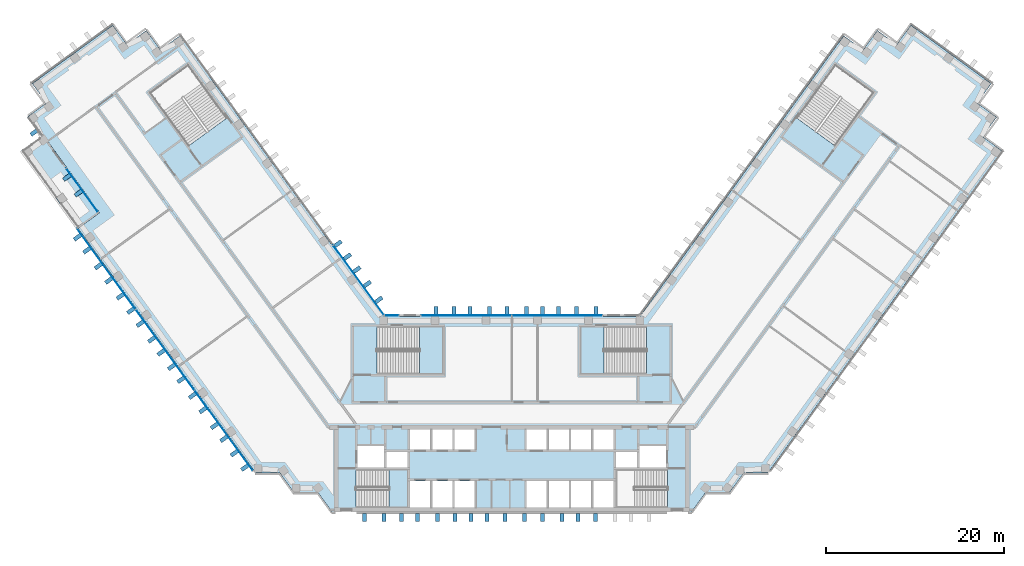
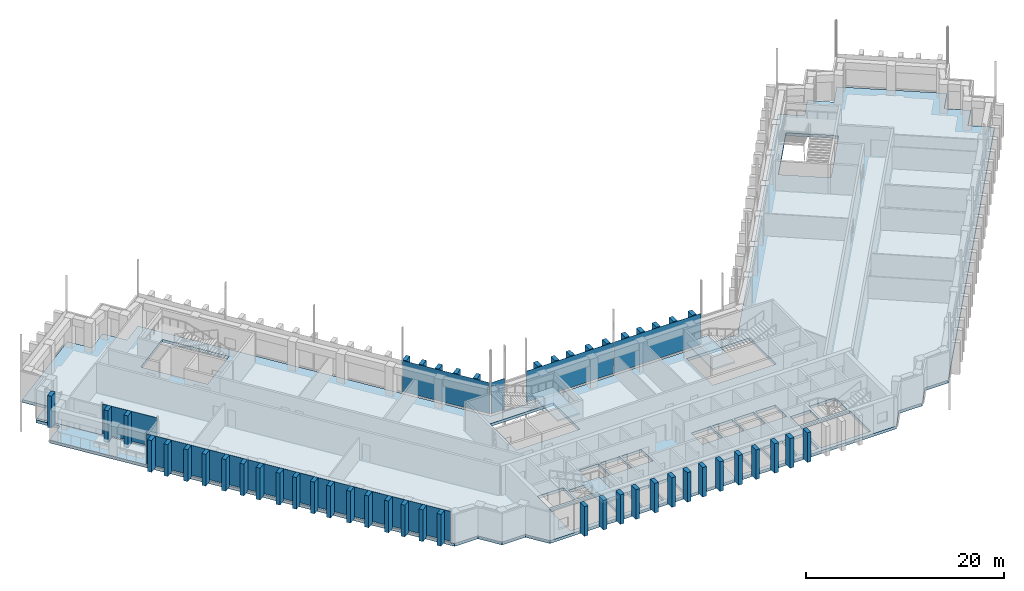
# One storey, part 8 of 19: 57 plates, 5 slabs, 8 elements without a shape of their own.
"""IFC4 building model written with IfcOpenShell, lengths in metres."""

import ifcopenshell
import ifcopenshell.guid

model = None  # the IFC model being written
_history = None  # IfcOwnerHistory: only IFC2X3 demands one
_inside = {}  # id of a spatial element -> (the spatial element, [elements in it])
_under = {}  # id of a project, library or spatial element -> (it, [spatial elements below it])
_declared = {}  # id of a project -> (the project, [libraries it declares])
_typed = {}  # id of a type object -> (the type object, [elements of that type])
_made_of = {}  # id of a material, layer set ... -> (it, [elements and type objects made of it])


def new_model(schema):
    """Start an empty IFC model of exactly this schema.

    Asked for "IFC4X3", IfcOpenShell would pick the latest addendum, in which some entities
    have other attributes; the version numbers below select the first issue.
    IFC2X3 requires an IfcOwnerHistory on every rooted entity: one is made here for all.
    """
    global model, _history
    if schema == "IFC4X3":
        model = ifcopenshell.file(schema_version=(4, 3, 0, 0))
    else:
        model = ifcopenshell.file(schema=schema)
    _inside.clear()
    _under.clear()
    _declared.clear()
    _typed.clear()
    _made_of.clear()
    _history = None
    if model.schema == "IFC2X3":
        org = make("IfcOrganization", Name="unknown")
        user = make(
            "IfcPersonAndOrganization",
            ThePerson=make("IfcPerson", FamilyName="unknown"),
            TheOrganization=org,
        )
        app = make(
            "IfcApplication",
            ApplicationDeveloper=org,
            Version="unknown",
            ApplicationFullName="unknown",
            ApplicationIdentifier="unknown",
        )
        _history = make(
            "IfcOwnerHistory",
            OwningUser=user,
            OwningApplication=app,
            ChangeAction="ADDED",
            CreationDate=0,
        )
    return model


def make(cls, **values):
    """One entity of the class cls with the attributes given. An attribute that is None is left unset."""
    return model.create_entity(
        cls, **{name: value for name, value in values.items() if value is not None}
    )


def rooted(cls, **values):
    """An entity with a GlobalId (a new one), such as an element, a storey or a relation."""
    return make(cls, GlobalId=ifcopenshell.guid.new(), OwnerHistory=_history, **values)


def si_unit(unit_type, name, prefix=None):
    """IfcSIUnit, for example si_unit("LENGTHUNIT", "METRE", prefix="MILLI")."""
    return make("IfcSIUnit", UnitType=unit_type, Prefix=prefix, Name=name)


def assignment(units):
    """IfcUnitAssignment: the units of a project."""
    return None if units is None else make("IfcUnitAssignment", Units=units)


def point(xyz):
    """IfcCartesianPoint."""
    return None if xyz is None else make("IfcCartesianPoint", Coordinates=xyz)


def direction(xyz):
    """IfcDirection."""
    return None if xyz is None else make("IfcDirection", DirectionRatios=xyz)


def frame(location, z_axis=None, x_axis=None):
    """IfcAxis2Placement3D, a coordinate frame: its origin and axes. An axis left out is left unset."""
    return make(
        "IfcAxis2Placement3D",
        Location=point(location),
        Axis=direction(z_axis),
        RefDirection=direction(x_axis),
    )


def frame_2d(location, x_axis=None):
    """IfcAxis2Placement2D, a coordinate frame in the plane: its origin and x axis."""
    return make(
        "IfcAxis2Placement2D", Location=point(location), RefDirection=direction(x_axis)
    )


def origin():
    """The frame at (0, 0, 0) with its axes left unset."""
    return frame((0.0, 0.0, 0.0))


def origin_2d():
    """The frame at (0, 0) in the plane with its x axis left unset."""
    return frame_2d((0.0, 0.0))


def place(relative_to, where):
    """IfcLocalPlacement: puts the frame where relative to a parent placement (None: the world)."""
    return make(
        "IfcLocalPlacement", PlacementRelTo=relative_to, RelativePlacement=where
    )


def context(
    kind, dimensions, precision=None, world=None, true_north=None, identifier=None
):
    """IfcGeometricRepresentationContext, for example the 3D "Model" context."""
    return make(
        "IfcGeometricRepresentationContext",
        ContextIdentifier=identifier,
        ContextType=kind,
        CoordinateSpaceDimension=dimensions,
        Precision=precision,
        WorldCoordinateSystem=world,
        TrueNorth=true_north,
    )


def subcontext(parent, identifier, kind, view, scale=None):
    """IfcGeometricRepresentationSubContext, for example "Body" below "Model"."""
    return make(
        "IfcGeometricRepresentationSubContext",
        ContextIdentifier=identifier,
        ContextType=kind,
        ParentContext=parent,
        TargetScale=scale,
        TargetView=view,
    )


def project(units=None, contexts=None):
    """IfcProject with its units and contexts."""
    return rooted(
        "IfcProject",
        Name="project",
        RepresentationContexts=contexts,
        UnitsInContext=assignment(units),
    )


def spatial(cls, under=None, at=None, **own):
    """A site, building, storey or space (cls), placed at a placement, below another one or the project."""
    s = rooted(cls, ObjectPlacement=at, **own)
    if under is not None:
        _under.setdefault(under.id(), (under, []))[1].append(s)
    return s


def polyline(points):
    """IfcPolyline through the points."""
    return make("IfcPolyline", Points=[point(p) for p in points])


def profile(cls, at=None, kind="AREA", **sizes):
    """A parametric profile (cls). Its sizes go by their IFC names, for example OverallWidth=200.0."""
    return make(cls, ProfileType=kind, Position=at, **sizes)


def rectangle(**sizes):
    """IfcRectangleProfileDef."""
    return profile("IfcRectangleProfileDef", **sizes)


def outline(outer, holes=None, kind="AREA"):
    """IfcArbitraryClosedProfileDef: a profile drawn as a closed curve; with holes, ...WithVoids."""
    if holes is None:
        return make("IfcArbitraryClosedProfileDef", ProfileType=kind, OuterCurve=outer)
    return make(
        "IfcArbitraryProfileDefWithVoids",
        ProfileType=kind,
        OuterCurve=outer,
        InnerCurves=holes,
    )


def extrude(swept, where, along, depth):
    """IfcExtrudedAreaSolid: the profile swept, set in the frame where, extruded along a direction by depth."""
    return make(
        "IfcExtrudedAreaSolid",
        SweptArea=swept,
        Position=where,
        ExtrudedDirection=direction(along),
        Depth=depth,
    )


def shape(context_of_items, identifier, shape_type, items):
    """IfcShapeRepresentation: the items that make up one representation, for example the "Body"."""
    return make(
        "IfcShapeRepresentation",
        ContextOfItems=context_of_items,
        RepresentationIdentifier=identifier,
        RepresentationType=shape_type,
        Items=items,
    )


def material(Name=None, Category=None):
    """IfcMaterial."""
    return make("IfcMaterial", Name=Name, Category=Category)


def layer(
    of_material, thickness, ventilated=None, Name=None, Category=None, Priority=None
):
    """IfcMaterialLayer: one layer of a wall or slab, of a material (None: an air gap)."""
    return make(
        "IfcMaterialLayer",
        Material=of_material,
        LayerThickness=thickness,
        IsVentilated=ventilated,
        Name=Name,
        Category=Category,
        Priority=Priority,
    )


def layer_set(layers, Name=None):
    """IfcMaterialLayerSet."""
    return make("IfcMaterialLayerSet", MaterialLayers=layers, LayerSetName=Name)


def made_of(thing, what):
    """Note that an element or type object is made of a material, layer set ...; save() writes the relation."""
    if what is not None:
        _made_of.setdefault(what.id(), (what, []))[1].append(thing)
    return thing


def type_object(cls, material=None, **own):
    """A type object (cls), such as IfcWallType, which elements share."""
    return made_of(rooted(cls, **own), material)


def element(
    cls,
    number,
    at=None,
    inside=None,
    cuts=None,
    type_object=None,
    material=None,
    context=None,
    identifier="Body",
    shape_type=None,
    held_by="IfcProductDefinitionShape",
    body=None,
    shapes=None,
    **own,
):
    """One element of the class cls, such as IfcWall. Its Tag is "e" and its number.

    at: its placement. inside: the storey or other place that contains it. cuts: it is an
    opening in that element (IfcRelVoidsElement). A single representation is given by context,
    identifier, shape_type and body (its items); several are given by shapes. held_by: the class
    of the entity that holds the representations. save() writes the other relations.
    """
    e = rooted(cls, Tag="e%d" % number, ObjectPlacement=at, **own)
    if body is not None:
        shapes = [shape(context, identifier, shape_type, body)]
    if shapes is not None:
        e.Representation = make(held_by, Representations=shapes)
    if inside is not None:
        _inside.setdefault(inside.id(), (inside, []))[1].append(e)
    if cuts is not None:
        rooted(
            "IfcRelVoidsElement", RelatingBuildingElement=cuts, RelatedOpeningElement=e
        )
    if type_object is not None:
        _typed.setdefault(type_object.id(), (type_object, []))[1].append(e)
    return made_of(e, material)


def aggregate(whole, parts):
    """IfcRelAggregates: a whole, such as a stair, and the parts it consists of."""
    return rooted("IfcRelAggregates", RelatingObject=whole, RelatedObjects=parts)


def save(model, path):
    """Write the relations noted so far, then the file.

    IfcRelAggregates (storeys below a building ...), IfcRelContainedInSpatialStructure (elements
    in a storey), IfcRelDefinesByType, IfcRelAssociatesMaterial and IfcRelDeclares: one each for
    every whole, place, type object, material and project.
    """
    for whole, parts in _under.values():
        aggregate(whole, parts)
    for where, things in _inside.values():
        rooted(
            "IfcRelContainedInSpatialStructure",
            RelatedElements=things,
            RelatingStructure=where,
        )
    for kind, things in _typed.values():
        rooted("IfcRelDefinesByType", RelatedObjects=things, RelatingType=kind)
    for what, things in _made_of.values():
        rooted("IfcRelAssociatesMaterial", RelatedObjects=things, RelatingMaterial=what)
    for by, libraries in _declared.values():
        rooted("IfcRelDeclares", RelatingContext=by, RelatedDefinitions=libraries)
    model.write(path)


model = new_model("IFC4")

# Units and contexts
model_context = context("Model", 3, precision=1e-05, world=origin(), true_north=direction((0.0, 1.0)))
body_context = subcontext(model_context, "Body", "Model", "MODEL_VIEW")
ifc_project = project(units=[si_unit("LENGTHUNIT", "METRE"), si_unit("AREAUNIT", "SQUARE_METRE"), si_unit("VOLUMEUNIT", "CUBIC_METRE"), si_unit("PLANEANGLEUNIT", "RADIAN"), si_unit("MASSUNIT", "GRAM", prefix="KILO")], contexts=[model_context])

# Site, building, storey
site_placement = place(None, origin())
site = spatial("IfcSite", under=ifc_project, at=site_placement, CompositionType="ELEMENT")
building_placement = place(site_placement, origin())
building = spatial("IfcBuilding", under=site, at=building_placement, Name="Quipu Civic Tower", CompositionType="ELEMENT")
storey_placement = place(building_placement, frame((0.0, 0.0, 35.0)))
storey = spatial("IfcBuildingStorey", under=building, at=storey_placement, Name="L07", CompositionType="ELEMENT", Elevation=35.0)

# Slab
ifc_material_1 = material(Name="Concrete C40/50", Category="concrete")
ifc_layer_1 = layer(ifc_material_1, 0.35009765625)
ifc_layer_set_1 = layer_set([ifc_layer_1], Name="Concrete C40/50")
slab_type_1 = type_object("IfcSlabType", Name="Floor slab 350 C40/50", PredefinedType="FLOOR", material=ifc_layer_set_1)
slab_1_placement = place(storey_placement, frame((0.0, 0.0, -0.35009765625)))
element("IfcSlab", 1, at=slab_1_placement, inside=storey, type_object=slab_type_1, Name="Floor slab L07", PredefinedType="FLOOR", context=body_context, shape_type="SweptSolid", body=[
    extrude(outline(polyline([(-44.860107421875, 43.739990234375), (-43.27001953125, 41.56005859375), (-41.0849609375, 43.14501953125), (-39.5, 40.9599609375), (-37.31494140625, 42.550048828125), (-14.39501953125, 11.0), (14.39501953125, 11.0), (37.31494140625, 42.550048828125), (39.5, 40.9599609375), (41.0849609375, 43.14501953125), (43.27001953125, 41.56005859375), (44.860107421875, 43.739990234375), (53.919921875, 37.159912109375), (52.3349609375, 34.97509765625), (54.514892578125, 33.389892578125), (52.929931640625, 31.205078125), (55.114990234375, 29.614990234375), (28.780029296875, -6.6298828125), (26.080078125, -6.6298828125), (24.489990234375, -8.81494140625), (21.7900390625, -8.81494140625), (20.205078125, -11.0), (-20.205078125, -11.0), (-21.7900390625, -8.81494140625), (-24.489990234375, -8.81494140625), (-26.080078125, -6.6298828125), (-28.780029296875, -6.6298828125), (-48.764892578125, 20.8798828125), (-46.340087890625, 22.639892578125), (-54.27490234375, 33.56494140625), (-52.3349609375, 34.97509765625), (-53.919921875, 37.159912109375), (-44.860107421875, 43.739990234375)]), holes=[polyline([(-11.449951171875, -7.5), (-11.449951171875, -10.5), (-9.14990234375, -10.5), (-9.14990234375, -7.5), (-11.449951171875, -7.5)]), polyline([(-6.64990234375, -7.5), (-8.949951171875, -7.5), (-8.949951171875, -10.5), (-6.64990234375, -10.5), (-6.64990234375, -7.5)]), polyline([(-4.14990234375, -7.5), (-6.449951171875, -7.5), (-6.449951171875, -10.5), (-4.14990234375, -10.5), (-4.14990234375, -7.5)]), polyline([(1.64990234375, -7.5), (1.64990234375, -10.5), (3.949951171875, -10.5), (3.949951171875, -7.5), (1.64990234375, -7.5)]), polyline([(-11.705078125, -10.4951171875), (-11.705078125, -6.2548828125), (-17.4951171875, -6.2548828125), (-17.4951171875, -10.4951171875), (-11.705078125, -10.4951171875)]), polyline([(-11.699951171875, -4.25), (-14.10009765625, -4.25), (-14.10009765625, -6.0), (-11.699951171875, -6.0), (-11.699951171875, -4.25)]), polyline([(-17.35009765625, -3.60009765625), (-17.35009765625, -6.0), (-14.35009765625, -6.0), (-14.35009765625, -3.60009765625), (-17.35009765625, -3.60009765625)]), polyline([(-9.14990234375, -1.699951171875), (-11.449951171875, -1.699951171875), (-11.449951171875, -4.0), (-9.14990234375, -4.0), (-9.14990234375, -1.699951171875)]), polyline([(-6.64990234375, -1.699951171875), (-8.949951171875, -1.699951171875), (-8.949951171875, -4.0), (-6.64990234375, -4.0), (-6.64990234375, -1.699951171875)]), polyline([(-6.449951171875, -1.699951171875), (-6.449951171875, -4.0), (-4.14990234375, -4.0), (-4.14990234375, -1.699951171875), (-6.449951171875, -1.699951171875)]), polyline([(-7.7548828125, 4.5048828125), (-7.7548828125, 9.844970703125), (-15.14501953125, 9.844970703125), (-15.14501953125, 4.5048828125), (-7.7548828125, 4.5048828125)]), polyline([(-36.364990234375, 39.27490234375), (-40.68505859375, 36.135009765625), (-36.344970703125, 30.159912109375), (-32.02490234375, 33.300048828125), (-36.364990234375, 39.27490234375)]), polyline([(4.14990234375, -7.5), (4.14990234375, -10.5), (6.449951171875, -10.5), (6.449951171875, -7.5), (4.14990234375, -7.5)]), polyline([(8.949951171875, -7.5), (6.64990234375, -7.5), (6.64990234375, -10.5), (8.949951171875, -10.5), (8.949951171875, -7.5)]), polyline([(11.449951171875, -7.5), (9.14990234375, -7.5), (9.14990234375, -10.5), (11.449951171875, -10.5), (11.449951171875, -7.5)]), polyline([(11.705078125, -10.4951171875), (17.4951171875, -10.4951171875), (17.4951171875, -6.2548828125), (11.705078125, -6.2548828125), (11.705078125, -10.4951171875)]), polyline([(14.10009765625, -4.25), (11.699951171875, -4.25), (11.699951171875, -6.0), (14.10009765625, -6.0), (14.10009765625, -4.25)]), polyline([(17.35009765625, -3.60009765625), (14.35009765625, -3.60009765625), (14.35009765625, -6.0), (17.35009765625, -6.0), (17.35009765625, -3.60009765625)]), polyline([(1.64990234375, -1.699951171875), (1.64990234375, -4.0), (3.949951171875, -4.0), (3.949951171875, -1.699951171875), (1.64990234375, -1.699951171875)]), polyline([(6.449951171875, -1.699951171875), (4.14990234375, -1.699951171875), (4.14990234375, -4.0), (6.449951171875, -4.0), (6.449951171875, -1.699951171875)]), polyline([(8.949951171875, -1.699951171875), (6.64990234375, -1.699951171875), (6.64990234375, -4.0), (8.949951171875, -4.0), (8.949951171875, -1.699951171875)]), polyline([(9.14990234375, -1.699951171875), (9.14990234375, -4.0), (11.449951171875, -4.0), (11.449951171875, -1.699951171875), (9.14990234375, -1.699951171875)]), polyline([(7.7548828125, 9.844970703125), (7.7548828125, 4.5048828125), (15.14501953125, 4.5048828125), (15.14501953125, 9.844970703125), (7.7548828125, 9.844970703125)]), polyline([(40.68505859375, 36.135009765625), (36.364990234375, 39.27490234375), (32.02490234375, 33.300048828125), (36.344970703125, 30.159912109375), (40.68505859375, 36.135009765625)])]), origin(), (0.0, 0.0, 1.0), 0.35009765625),
])

# Curtain wall, plate
ifc_material_2 = material(Name="Insulated glass unit", Category="glass")
curtain_wall_type = type_object("IfcCurtainWallType", Name="Office curtain wall CW1", PredefinedType="NOTDEFINED", material=ifc_material_2)
curtain_wall_1_placement = place(storey_placement, origin())
curtain_wall_1 = element("IfcCurtainWall", 2, at=curtain_wall_1_placement, inside=storey, type_object=curtain_wall_type, Name="Office curtain wall CW1 L07 run 5", PredefinedType="NOTDEFINED")
ifc_material_3 = material(Name="Insulated glass unit", Category="glass")
ifc_layer_2 = layer(ifc_material_3, 0.028076171875)
ifc_layer_set_2 = layer_set([ifc_layer_2], Name="Insulated glass unit")
plate_type_1 = type_object("IfcPlateType", Name="Glass panel CW1", PredefinedType="CURTAIN_PANEL", material=ifc_layer_set_2)
plate_1_placement = place(storey_placement, frame((-48.301025390625, 25.172607421875, 0.240234375), z_axis=(0.0, 0.0, 1.0), x_axis=(0.587786095567, -0.809016381699, 0.0)))
plate_1 = element("IfcPlate", 3, at=plate_1_placement, type_object=plate_type_1, Name="CW1 panel 1.1", PredefinedType="CURTAIN_PANEL", context=body_context, shape_type="SweptSolid", body=[
    extrude(rectangle(XDim=6.039794921875, YDim=0.028076171875, at=origin_2d()), origin(), (0.0, 0.0, 1.0), 3.679931640625),
])
aggregate(curtain_wall_1, [plate_1])

# Curtain wall, plates
curtain_wall_2_placement = place(storey_placement, origin())
curtain_wall_2 = element("IfcCurtainWall", 4, at=curtain_wall_2_placement, inside=storey, type_object=curtain_wall_type, Name="Office curtain wall CW1 L07 run 7", PredefinedType="NOTDEFINED")
plate_2_placement = place(storey_placement, frame((-45.5859375, 16.33154296875, 0.240234375), z_axis=(0.0, 0.0, 1.0), x_axis=(0.58778551645, -0.809016802453, 0.0)))
plate_2 = element("IfcPlate", 5, at=plate_2_placement, type_object=plate_type_1, Name="CW1 panel 1.1", PredefinedType="CURTAIN_PANEL", context=body_context, shape_type="SweptSolid", body=[
    extrude(rectangle(XDim=11.136962890625, YDim=0.028076171875, at=origin_2d()), origin(), (0.0, 0.0, 1.0), 3.679931640625),
])
plate_3_placement = place(storey_placement, frame((-38.98095703125, 7.240478515625, 0.240234375), z_axis=(0.0, 0.0, 1.0), x_axis=(0.58778551645, -0.809016802453, 0.0)))
plate_3 = element("IfcPlate", 6, at=plate_3_placement, type_object=plate_type_1, Name="CW1 panel 2.1", PredefinedType="CURTAIN_PANEL", context=body_context, shape_type="SweptSolid", body=[
    extrude(rectangle(XDim=11.177001953125, YDim=0.028076171875, at=origin_2d()), origin(), (0.0, 0.0, 1.0), 3.679931640625),
])
plate_4_placement = place(storey_placement, frame((-32.3759765625, -1.850341796875, 0.240234375), z_axis=(0.0, 0.0, 1.0), x_axis=(0.58778551645, -0.809016802453, 0.0)))
plate_4 = element("IfcPlate", 7, at=plate_4_placement, type_object=plate_type_1, Name="CW1 panel 3.1", PredefinedType="CURTAIN_PANEL", context=body_context, shape_type="SweptSolid", body=[
    extrude(rectangle(XDim=11.136962890625, YDim=0.028076171875, at=origin_2d()), origin(), (0.0, 0.0, 1.0), 3.679931640625),
])
aggregate(curtain_wall_2, [plate_2, plate_3, plate_4])

curtain_wall_3_placement = place(storey_placement, origin())
curtain_wall_3 = element("IfcCurtainWall", 8, at=curtain_wall_3_placement, inside=storey, type_object=curtain_wall_type, Name="Office curtain wall CW1 L06 run 29", PredefinedType="NOTDEFINED")
plate_5_placement = place(storey_placement, frame((5.11181640625, 11.10009765625, 0.16015625), z_axis=(0.0, 0.0, 1.0), x_axis=(-1.0, 0.0, 0.0)))
plate_5 = element("IfcPlate", 9, at=plate_5_placement, type_object=plate_type_1, Name="CW1 panel 1.2", PredefinedType="CURTAIN_PANEL", context=body_context, shape_type="SweptSolid", body=[
    extrude(rectangle(XDim=10.1435546875, YDim=0.028076171875, at=origin_2d()), origin(), (0.0, 0.0, 1.0), 3.840087890625),
])
plate_6_placement = place(storey_placement, frame((-5.11181640625, 11.10009765625, 0.16015625), z_axis=(0.0, 0.0, 1.0), x_axis=(-1.0, 0.0, 0.0)))
plate_6 = element("IfcPlate", 10, at=plate_6_placement, type_object=plate_type_1, Name="CW1 panel 2.2", PredefinedType="CURTAIN_PANEL", context=body_context, shape_type="SweptSolid", body=[
    extrude(rectangle(XDim=10.1435546875, YDim=0.028076171875, at=origin_2d()), origin(), (0.0, 0.0, 1.0), 3.840087890625),
])
aggregate(curtain_wall_3, [plate_5, plate_6])

# Curtain wall, plate
curtain_wall_4_placement = place(storey_placement, origin())
curtain_wall_4 = element("IfcCurtainWall", 11, at=curtain_wall_4_placement, inside=storey, type_object=curtain_wall_type, Name="Office curtain wall CW1 L06 run 31", PredefinedType="NOTDEFINED")
plate_7_placement = place(storey_placement, frame((-13.49951171875, 11.10009765625, 0.16015625), z_axis=(0.0, 0.0, 1.0), x_axis=(-1.0, 0.0, 0.0)))
plate_7 = element("IfcPlate", 12, at=plate_7_placement, type_object=plate_type_1, Name="CW1 panel 1.2", PredefinedType="CURTAIN_PANEL", context=body_context, shape_type="SweptSolid", body=[
    extrude(rectangle(XDim=1.529296875, YDim=0.028076171875, at=origin_2d()), origin(), (0.0, 0.0, 1.0), 3.840087890625),
])
aggregate(curtain_wall_4, [plate_7])

curtain_wall_5_placement = place(storey_placement, origin())
curtain_wall_5 = element("IfcCurtainWall", 13, at=curtain_wall_5_placement, inside=storey, type_object=curtain_wall_type, Name="Office curtain wall CW1 L06 run 32", PredefinedType="NOTDEFINED")
plate_8_placement = place(storey_placement, frame((-17.224609375, 15.064697265625, 0.16015625), z_axis=(0.0, 0.0, 1.0), x_axis=(-0.587785887566, 0.809016532822, 0.0)))
plate_8 = element("IfcPlate", 14, at=plate_8_placement, type_object=plate_type_1, Name="CW1 panel 1.2", PredefinedType="CURTAIN_PANEL", context=body_context, shape_type="SweptSolid", body=[
    extrude(rectangle(XDim=9.64111328125, YDim=0.028076171875, at=origin_2d()), origin(), (0.0, 0.0, 1.0), 3.840087890625),
])
aggregate(curtain_wall_5, [plate_8])

# Plates
ifc_material_4 = material(Name="Precast concrete C40/50", Category="concrete")
plate_type_2 = type_object("IfcPlateType", Name="Precast fin F1", PredefinedType="SHEET", material=ifc_material_4)
for number, where, z_axis, x_axis, name in (
    (15, (-53.697509765625, 31.664306640625, 0.080078125), (0.0, 0.0, 1.0), (0.587786244816, -0.809016273264, 0.0), "Precast fin F1 L07.2.1"),
    (16, (-50.0244140625, 26.60888671875, 0.080078125), (0.0, 0.0, 1.0), (0.587786244816, -0.809016273264, 0.0), "Precast fin F1 L07.5.1"),
    (17, (-48.7314453125, 24.8291015625, 0.080078125), (0.0, 0.0, 1.0), (0.587786244816, -0.809016273264, 0.0), "Precast fin F1 L07.5.2"),
    (18, (-48.836669921875, 19.8701171875, 0.080078125), (0.0, 0.0, 1.0), (0.587785722658, -0.809016652634, 0.0), "Precast fin F1 L07.7.1"),
    (19, (-47.778564453125, 18.413818359375, 0.080078125), (0.0, 0.0, 1.0), (0.587785722658, -0.809016652634, 0.0), "Precast fin F1 L07.7.2"),
    (20, (-46.485595703125, 16.634033203125, 0.080078125), (0.0, 0.0, 1.0), (0.587785722658, -0.809016652634, 0.0), "Precast fin F1 L07.7.3"),
    (21, (-45.309814453125, 15.015869140625, 0.080078125), (0.0, 0.0, 1.0), (0.587785722658, -0.809016652634, 0.0), "Precast fin F1 L07.7.4"),
    (22, (-44.016845703125, 13.236083984375, 0.080078125), (0.0, 0.0, 1.0), (0.587785722658, -0.809016652634, 0.0), "Precast fin F1 L07.7.5"),
    (23, (-42.84130859375, 11.6181640625, 0.080078125), (0.0, 0.0, 1.0), (0.587785722658, -0.809016652634, 0.0), "Precast fin F1 L07.7.6"),
    (24, (-41.783203125, 10.161865234375, 0.080078125), (0.0, 0.0, 1.0), (0.587785722658, -0.809016652634, 0.0), "Precast fin F1 L07.7.7"),
    (25, (-40.489990234375, 8.382080078125, 0.080078125), (0.0, 0.0, 1.0), (0.587785722658, -0.809016652634, 0.0), "Precast fin F1 L07.7.8"),
    (26, (-39.43212890625, 6.92578125, 0.080078125), (0.0, 0.0, 1.0), (0.587785722658, -0.809016652634, 0.0), "Precast fin F1 L07.7.9"),
    (27, (-38.256591796875, 5.307861328125, 0.080078125), (0.0, 0.0, 1.0), (0.587785722658, -0.809016652634, 0.0), "Precast fin F1 L07.7.10"),
    (28, (-37.198486328125, 3.8515625, 0.080078125), (0.0, 0.0, 1.0), (0.587785722658, -0.809016652634, 0.0), "Precast fin F1 L07.7.11"),
    (29, (-35.9052734375, 2.07177734375, 0.080078125), (0.0, 0.0, 1.0), (0.587785722658, -0.809016652634, 0.0), "Precast fin F1 L07.7.12"),
    (30, (-34.729736328125, 0.45361328125, 0.080078125), (0.0, 0.0, 1.0), (0.587785722658, -0.809016652634, 0.0), "Precast fin F1 L07.7.13"),
    (31, (-33.4365234375, -1.326171875, 0.080078125), (0.0, 0.0, 1.0), (0.587785722658, -0.809016652634, 0.0), "Precast fin F1 L07.7.14"),
    (32, (-32.378662109375, -2.782470703125, 0.080078125), (0.0, 0.0, 1.0), (0.587785722658, -0.809016652634, 0.0), "Precast fin F1 L07.7.15"),
    (33, (-31.203125, -4.400390625, 0.080078125), (0.0, 0.0, 1.0), (0.587785722658, -0.809016652634, 0.0), "Precast fin F1 L07.7.16"),
    (34, (-30.027587890625, -6.0185546875, 0.080078125), (0.0, 0.0, 1.0), (0.587785722658, -0.809016652634, 0.0), "Precast fin F1 L07.7.17"),
):
    element("IfcPlate", number, at=place(storey_placement, frame(where, z_axis=z_axis, x_axis=x_axis)), inside=storey, type_object=plate_type_2, Name=name, PredefinedType="SHEET", context=body_context, shape_type="SweptSolid", body=[
        extrude(rectangle(XDim=0.449951171875, YDim=0.89990234375, at=origin_2d()), origin(), (0.0, 0.0, 1.0), 3.919921875),
    ])
for number, where, z_axis, x_axis, name in (
    (35, (-16.574951171875, -11.637939453125, 0.0), (0.0, 0.0, 1.0), (1.0, 0.0, 0.0), "Precast fin F1 L07.P07.1"),
    (36, (-14.375, -11.637939453125, 0.0), (0.0, 0.0, 1.0), (1.0, 0.0, 0.0), "Precast fin F1 L07.P07.2"),
    (37, (-12.375, -11.637939453125, 0.0), (0.0, 0.0, 1.0), (1.0, 0.0, 0.0), "Precast fin F1 L07.P07.3"),
    (38, (-10.574951171875, -11.637939453125, 0.0), (0.0, 0.0, 1.0), (1.0, 0.0, 0.0), "Precast fin F1 L07.P07.4"),
    (39, (-8.375, -11.637939453125, 0.0), (0.0, 0.0, 1.0), (1.0, 0.0, 0.0), "Precast fin F1 L07.P07.5"),
    (40, (-6.375, -11.637939453125, 0.0), (0.0, 0.0, 1.0), (1.0, 0.0, 0.0), "Precast fin F1 L07.P07.6"),
    (41, (-4.574951171875, -11.637939453125, 0.0), (0.0, 0.0, 1.0), (1.0, 0.0, 0.0), "Precast fin F1 L07.P07.7"),
    (42, (-2.77490234375, -11.637939453125, 0.0), (0.0, 0.0, 1.0), (1.0, 0.0, 0.0), "Precast fin F1 L07.P07.8"),
    (43, (-0.77490234375, -11.637939453125, 0.0), (0.0, 0.0, 1.0), (1.0, 0.0, 0.0), "Precast fin F1 L07.P07.9"),
    (44, (1.425048828125, -11.637939453125, 0.0), (0.0, 0.0, 1.0), (1.0, 0.0, 0.0), "Precast fin F1 L07.P07.10"),
    (45, (3.425048828125, -11.637939453125, 0.0), (0.0, 0.0, 1.0), (1.0, 0.0, 0.0), "Precast fin F1 L07.P07.11"),
    (46, (5.625, -11.637939453125, 0.0), (0.0, 0.0, 1.0), (1.0, 0.0, 0.0), "Precast fin F1 L07.P07.12"),
    (47, (7.425048828125, -11.637939453125, 0.0), (0.0, 0.0, 1.0), (1.0, 0.0, 0.0), "Precast fin F1 L07.P07.13"),
    (48, (9.425048828125, -11.637939453125, 0.0), (0.0, 0.0, 1.0), (1.0, 0.0, 0.0), "Precast fin F1 L07.P07.14"),
):
    element("IfcPlate", number, at=place(storey_placement, frame(where, z_axis=z_axis, x_axis=x_axis)), inside=storey, type_object=plate_type_2, Name=name, PredefinedType="SHEET", context=body_context, shape_type="SweptSolid", body=[
        extrude(rectangle(XDim=0.449951171875, YDim=0.89990234375, at=origin_2d()), origin(), (0.0, 0.0, 1.0), 3.64990234375),
    ])
for number, where, z_axis, x_axis, name in (
    (49, (9.47509765625, 11.64990234375, 0.080078125), (0.0, 0.0, 1.0), (-1.0, 0.0, 0.0), "Precast fin F1 L07.P26.1"),
    (50, (7.27490234375, 11.64990234375, 0.080078125), (0.0, 0.0, 1.0), (-1.0, 0.0, 0.0), "Precast fin F1 L07.P26.2"),
    (51, (5.27490234375, 11.64990234375, 0.080078125), (0.0, 0.0, 1.0), (-1.0, 0.0, 0.0), "Precast fin F1 L07.P26.3"),
    (52, (3.47509765625, 11.64990234375, 0.080078125), (0.0, 0.0, 1.0), (-1.0, 0.0, 0.0), "Precast fin F1 L07.P26.4"),
    (53, (1.675048828125, 11.64990234375, 0.080078125), (0.0, 0.0, 1.0), (-1.0, 0.0, 0.0), "Precast fin F1 L07.P26.5"),
    (54, (-0.52490234375, 11.64990234375, 0.080078125), (0.0, 0.0, 1.0), (-1.0, 0.0, 0.0), "Precast fin F1 L07.P26.6"),
    (55, (-2.52490234375, 11.64990234375, 0.080078125), (0.0, 0.0, 1.0), (-1.0, 0.0, 0.0), "Precast fin F1 L07.P26.7"),
    (56, (-4.72509765625, 11.64990234375, 0.080078125), (0.0, 0.0, 1.0), (-1.0, 0.0, 0.0), "Precast fin F1 L07.P26.8"),
    (57, (-6.52490234375, 11.64990234375, 0.080078125), (0.0, 0.0, 1.0), (-1.0, 0.0, 0.0), "Precast fin F1 L07.P26.9"),
    (58, (-8.52490234375, 11.64990234375, 0.080078125), (0.0, 0.0, 1.0), (-1.0, 0.0, 0.0), "Precast fin F1 L07.P26.10"),
    (59, (-14.942138671875, 12.8583984375, 0.080078125), (0.0, 0.0, 1.0), (-0.587784944053, 0.809017218324, 0.0), "Precast fin F1 L07.P29.1"),
    (60, (-16.235107421875, 14.638427734375, 0.080078125), (0.0, 0.0, 1.0), (-0.587784944053, 0.809017218324, 0.0), "Precast fin F1 L07.P29.2"),
    (61, (-17.41064453125, 16.25634765625, 0.080078125), (0.0, 0.0, 1.0), (-0.587784944053, 0.809017218324, 0.0), "Precast fin F1 L07.P29.3"),
    (62, (-18.46875, 17.712646484375, 0.080078125), (0.0, 0.0, 1.0), (-0.587784944053, 0.809017218324, 0.0), "Precast fin F1 L07.P29.4"),
    (63, (-19.52685546875, 19.1689453125, 0.080078125), (0.0, 0.0, 1.0), (-0.587784944053, 0.809017218324, 0.0), "Precast fin F1 L07.P29.5"),
):
    element("IfcPlate", number, at=place(storey_placement, frame(where, z_axis=z_axis, x_axis=x_axis)), inside=storey, type_object=plate_type_2, Name=name, PredefinedType="SHEET", context=body_context, shape_type="SweptSolid", body=[
        extrude(rectangle(XDim=0.449951171875, YDim=0.89990234375, at=origin_2d()), origin(), (0.0, 0.0, 1.0), 3.919921875),
    ])

# Stair, slab
ifc_material_5 = material(Name="Concrete C40/50", Category="concrete")
stair_type_1 = type_object("IfcStairType", Name="Half turn stair 2000", PredefinedType="HALF_TURN_STAIR", material=ifc_material_5)
stair_1_placement = place(storey_placement, origin())
stair_1 = element("IfcStair", 64, at=stair_1_placement, inside=storey, type_object=stair_type_1, Name="Exit stair 1", PredefinedType="HALF_TURN_STAIR")
ifc_material_6 = material(Name="Concrete C40/50", Category="concrete")
ifc_layer_3 = layer(ifc_material_6, 0.199951171875)
ifc_layer_set_3 = layer_set([ifc_layer_3], Name="Concrete C40/50")
slab_type_2 = type_object("IfcSlabType", Name="Stair landing 200", PredefinedType="LANDING", material=ifc_layer_set_3)
slab_2_placement = place(storey_placement, frame((0.0, 0.0, 1.800048828125)))
slab_2 = element("IfcSlab", 65, at=slab_2_placement, type_object=slab_type_2, Name="ST-1 landing 1", PredefinedType="LANDING", context=body_context, shape_type="SweptSolid", body=[
    extrude(outline(polyline([(-13.780029296875, -10.5), (-11.699951171875, -10.5), (-11.699951171875, -6.25), (-13.780029296875, -6.25), (-13.780029296875, -10.5)])), origin(), (0.0, 0.0, 1.0), 0.199951171875),
])
aggregate(stair_1, [slab_2])

ifc_material_7 = material(Name="Concrete C40/50", Category="concrete")
stair_type_2 = type_object("IfcStairType", Name="Half turn stair 2600", PredefinedType="HALF_TURN_STAIR", material=ifc_material_7)
stair_2_placement = place(storey_placement, origin())
stair_2 = element("IfcStair", 66, at=stair_2_placement, inside=storey, type_object=stair_type_2, Name="Exit stair 3", PredefinedType="HALF_TURN_STAIR")
slab_3_placement = place(storey_placement, frame((0.0, 0.0, 1.800048828125)))
slab_3 = element("IfcSlab", 67, at=slab_3_placement, type_object=slab_type_2, Name="ST-3 landing 1", PredefinedType="LANDING", context=body_context, shape_type="SweptSolid", body=[
    extrude(outline(polyline([(-10.35009765625, 4.5), (-7.75, 4.5), (-7.75, 9.85009765625), (-10.35009765625, 9.85009765625), (-10.35009765625, 4.5)])), origin(), (0.0, 0.0, 1.0), 0.199951171875),
])
aggregate(stair_2, [slab_3])

stair_3_placement = place(storey_placement, origin())
stair_3 = element("IfcStair", 68, at=stair_3_placement, inside=storey, type_object=stair_type_2, Name="Exit stair 4", PredefinedType="HALF_TURN_STAIR")
slab_4_placement = place(storey_placement, frame((0.0, 0.0, 1.800048828125)))
slab_4 = element("IfcSlab", 69, at=slab_4_placement, type_object=slab_type_2, Name="ST-4 landing 1", PredefinedType="LANDING", context=body_context, shape_type="SweptSolid", body=[
    extrude(outline(polyline([(10.35009765625, 9.85009765625), (7.75, 9.85009765625), (7.75, 4.5), (10.35009765625, 4.5), (10.35009765625, 9.85009765625)])), origin(), (0.0, 0.0, 1.0), 0.199951171875),
])
aggregate(stair_3, [slab_4])

# Slab
ifc_material_8 = material(Name="Concrete C40/50", Category="concrete")
ifc_layer_4 = layer(ifc_material_8, 0.35009765625)
ifc_layer_set_4 = layer_set([ifc_layer_4], Name="Concrete C40/50")
slab_type_3 = type_object("IfcSlabType", Name="Terrace slab 350 C40/50", PredefinedType="FLOOR", material=ifc_layer_set_4)
slab_5_placement = place(storey_placement, frame((0.0, 0.0, -0.35009765625)))
element("IfcSlab", 70, at=slab_5_placement, inside=storey, type_object=slab_type_3, Name="Terrace slab L07", PredefinedType="FLOOR", context=body_context, shape_type="SweptSolid", body=[
    extrude(outline(polyline([(-52.929931640625, 31.205078125), (-54.514892578125, 33.389892578125), (-54.27490234375, 33.56494140625), (-46.340087890625, 22.639892578125), (-48.764892578125, 20.8798828125), (-55.114990234375, 29.614990234375), (-52.929931640625, 31.205078125)])), origin(), (0.0, 0.0, 1.0), 0.35009765625),
])

save(model, "model.ifc")
